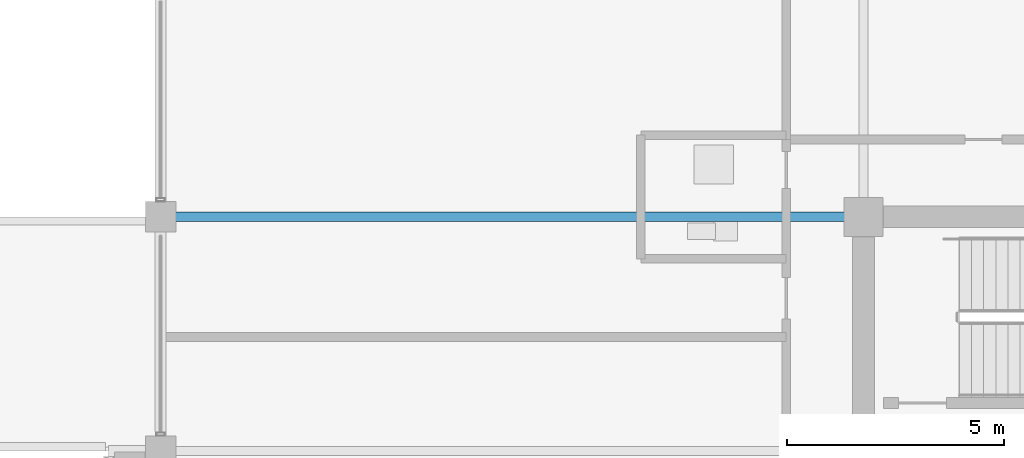
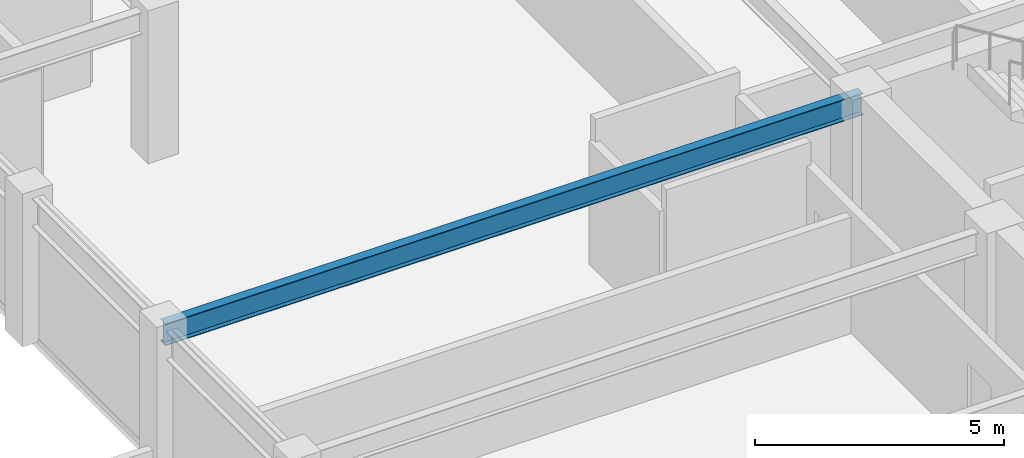
# One storey, part 13 of 31: 1 beam.
"""IFC4 building model written with IfcOpenShell, lengths in metres."""

from ifc_helpers import new_model, si_unit, direction, frame, origin, origin_2d, place, context, subcontext, project, spatial, i_section, extrude, material, material_profile, profile_set, type_object, element, save


model = new_model("IFC4")

# Units and contexts
model_context = context("Model", 3, precision=1e-05, world=origin(), true_north=direction((0.0, 1.0)))
body_context = subcontext(model_context, "Body", "Model", "MODEL_VIEW")
ifc_project = project(units=[si_unit("LENGTHUNIT", "METRE"), si_unit("AREAUNIT", "SQUARE_METRE"), si_unit("VOLUMEUNIT", "CUBIC_METRE"), si_unit("PLANEANGLEUNIT", "RADIAN"), si_unit("MASSUNIT", "GRAM", prefix="KILO")], contexts=[model_context])

# Site, building, storey
site_placement = place(None, origin())
site = spatial("IfcSite", under=ifc_project, at=site_placement, CompositionType="ELEMENT")
building_placement = place(site_placement, origin())
building = spatial("IfcBuilding", under=site, at=building_placement, Name="Surkhivell Harbour Commons", CompositionType="ELEMENT")
storey_placement = place(building_placement, frame((0.0, 0.0, 270.0)))
storey = spatial("IfcBuildingStorey", under=building, at=storey_placement, Name="L70", CompositionType="ELEMENT", Elevation=270.0)

# Beam
ifc_material = material(Name="Steel S355", Category="steel")
ifc_material_profile = material_profile(ifc_material, i_section(OverallWidth=0.2099609375, OverallDepth=0.537109375, WebThickness=0.0107421875, FlangeThickness=0.017333984375, at=origin_2d()), Name="UB533x210x101")
ifc_profile_set = profile_set([ifc_material_profile], Name="Steel S355")
beam_type = type_object("IfcBeamType", Name="BM-GRD-533B", PredefinedType="BEAM", material=ifc_profile_set)
beam_placement = place(storey_placement, frame((-27.0, 10.800048828125, 3.301513671875), z_axis=(1.0, 0.0, 0.0), x_axis=(0.0, 1.0, 0.0)))
element("IfcBeam", 1, at=beam_placement, inside=storey, type_object=beam_type, Name="L70 Floor Girder (-27.0,10.8)", PredefinedType="BEAM", context=body_context, shape_type="SweptSolid", body=[
    extrude(i_section(OverallWidth=0.2099609375, OverallDepth=0.537109375, WebThickness=0.0107421875, FlangeThickness=0.017333984375, at=origin_2d()), origin(), (0.0, 0.0, 1.0), 16.199951171875),
])

save(model, "model.ifc")
